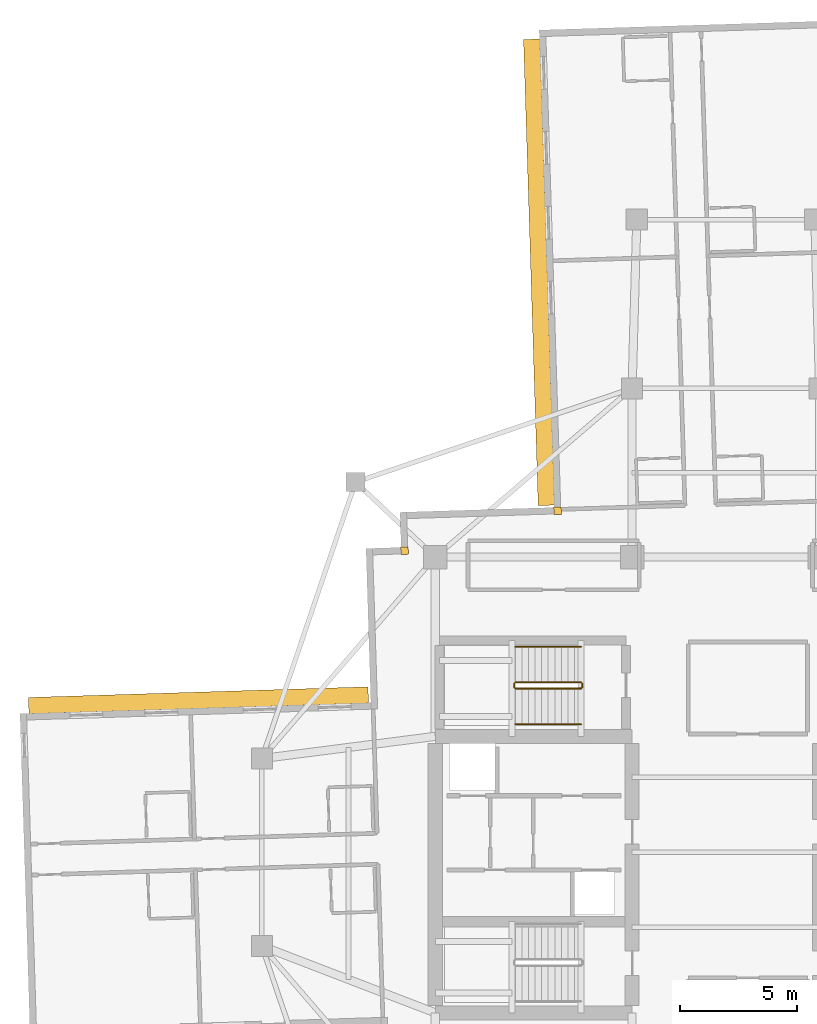
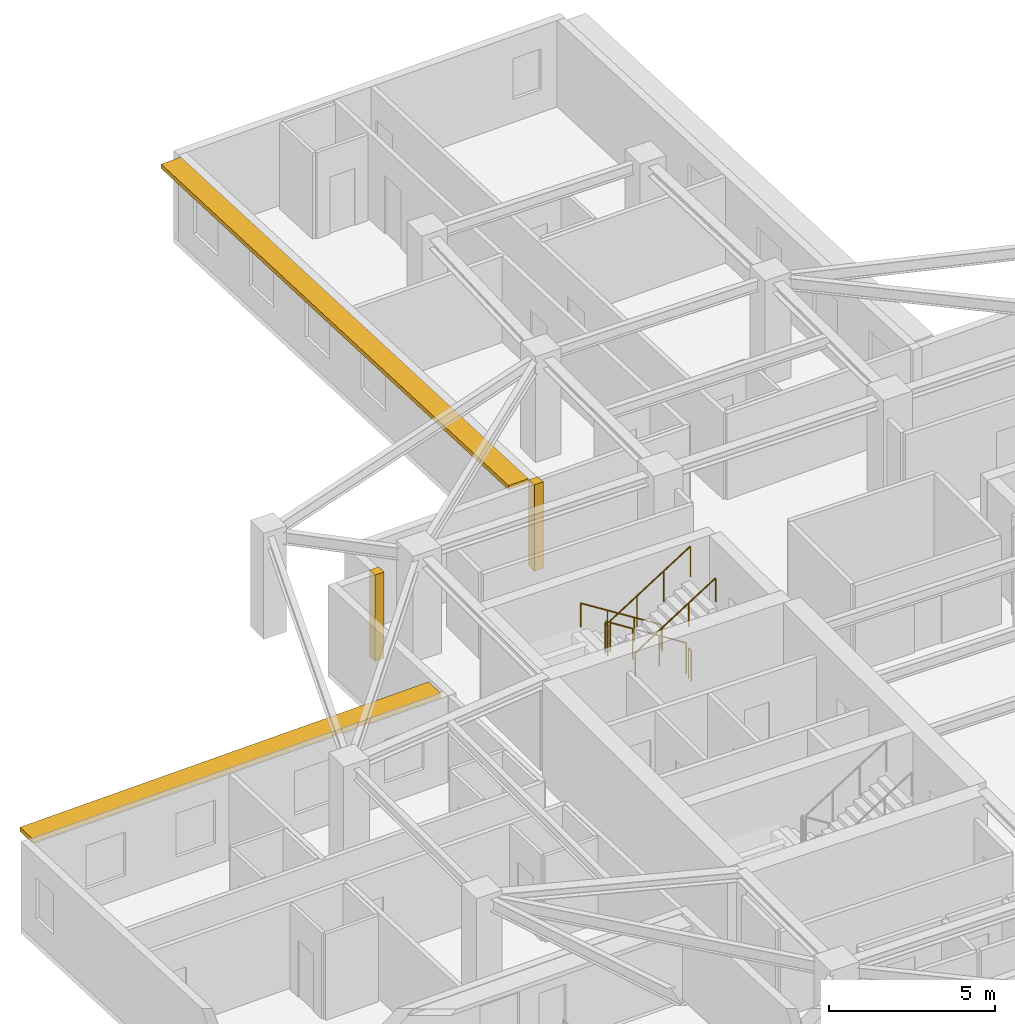
# One storey, part 11 of 12: 6 railings, 2 coverings, 2 shading devices.
"""IFC4 building model written with IfcOpenShell, lengths in metres."""

import ifcopenshell
import ifcopenshell.guid

model = None  # the IFC model being written
_history = None  # IfcOwnerHistory: only IFC2X3 demands one
_inside = {}  # id of a spatial element -> (the spatial element, [elements in it])
_under = {}  # id of a project, library or spatial element -> (it, [spatial elements below it])
_declared = {}  # id of a project -> (the project, [libraries it declares])
_typed = {}  # id of a type object -> (the type object, [elements of that type])
_made_of = {}  # id of a material, layer set ... -> (it, [elements and type objects made of it])


def new_model(schema):
    """Start an empty IFC model of exactly this schema.

    Asked for "IFC4X3", IfcOpenShell would pick the latest addendum, in which some entities
    have other attributes; the version numbers below select the first issue.
    IFC2X3 requires an IfcOwnerHistory on every rooted entity: one is made here for all.
    """
    global model, _history
    if schema == "IFC4X3":
        model = ifcopenshell.file(schema_version=(4, 3, 0, 0))
    else:
        model = ifcopenshell.file(schema=schema)
    _inside.clear()
    _under.clear()
    _declared.clear()
    _typed.clear()
    _made_of.clear()
    _history = None
    if model.schema == "IFC2X3":
        org = make("IfcOrganization", Name="unknown")
        user = make(
            "IfcPersonAndOrganization",
            ThePerson=make("IfcPerson", FamilyName="unknown"),
            TheOrganization=org,
        )
        app = make(
            "IfcApplication",
            ApplicationDeveloper=org,
            Version="unknown",
            ApplicationFullName="unknown",
            ApplicationIdentifier="unknown",
        )
        _history = make(
            "IfcOwnerHistory",
            OwningUser=user,
            OwningApplication=app,
            ChangeAction="ADDED",
            CreationDate=0,
        )
    return model


def make(cls, **values):
    """One entity of the class cls with the attributes given. An attribute that is None is left unset."""
    return model.create_entity(
        cls, **{name: value for name, value in values.items() if value is not None}
    )


def rooted(cls, **values):
    """An entity with a GlobalId (a new one), such as an element, a storey or a relation."""
    return make(cls, GlobalId=ifcopenshell.guid.new(), OwnerHistory=_history, **values)


def si_unit(unit_type, name, prefix=None):
    """IfcSIUnit, for example si_unit("LENGTHUNIT", "METRE", prefix="MILLI")."""
    return make("IfcSIUnit", UnitType=unit_type, Prefix=prefix, Name=name)


def assignment(units):
    """IfcUnitAssignment: the units of a project."""
    return None if units is None else make("IfcUnitAssignment", Units=units)


def point(xyz):
    """IfcCartesianPoint."""
    return None if xyz is None else make("IfcCartesianPoint", Coordinates=xyz)


def direction(xyz):
    """IfcDirection."""
    return None if xyz is None else make("IfcDirection", DirectionRatios=xyz)


def frame(location, z_axis=None, x_axis=None):
    """IfcAxis2Placement3D, a coordinate frame: its origin and axes. An axis left out is left unset."""
    return make(
        "IfcAxis2Placement3D",
        Location=point(location),
        Axis=direction(z_axis),
        RefDirection=direction(x_axis),
    )


def frame_2d(location, x_axis=None):
    """IfcAxis2Placement2D, a coordinate frame in the plane: its origin and x axis."""
    return make(
        "IfcAxis2Placement2D", Location=point(location), RefDirection=direction(x_axis)
    )


def origin():
    """The frame at (0, 0, 0) with its axes left unset."""
    return frame((0.0, 0.0, 0.0))


def origin_2d():
    """The frame at (0, 0) in the plane with its x axis left unset."""
    return frame_2d((0.0, 0.0))


def place(relative_to, where):
    """IfcLocalPlacement: puts the frame where relative to a parent placement (None: the world)."""
    return make(
        "IfcLocalPlacement", PlacementRelTo=relative_to, RelativePlacement=where
    )


def context(
    kind, dimensions, precision=None, world=None, true_north=None, identifier=None
):
    """IfcGeometricRepresentationContext, for example the 3D "Model" context."""
    return make(
        "IfcGeometricRepresentationContext",
        ContextIdentifier=identifier,
        ContextType=kind,
        CoordinateSpaceDimension=dimensions,
        Precision=precision,
        WorldCoordinateSystem=world,
        TrueNorth=true_north,
    )


def subcontext(parent, identifier, kind, view, scale=None):
    """IfcGeometricRepresentationSubContext, for example "Body" below "Model"."""
    return make(
        "IfcGeometricRepresentationSubContext",
        ContextIdentifier=identifier,
        ContextType=kind,
        ParentContext=parent,
        TargetScale=scale,
        TargetView=view,
    )


def project(units=None, contexts=None):
    """IfcProject with its units and contexts."""
    return rooted(
        "IfcProject",
        Name="project",
        RepresentationContexts=contexts,
        UnitsInContext=assignment(units),
    )


def spatial(cls, under=None, at=None, **own):
    """A site, building, storey or space (cls), placed at a placement, below another one or the project."""
    s = rooted(cls, ObjectPlacement=at, **own)
    if under is not None:
        _under.setdefault(under.id(), (under, []))[1].append(s)
    return s


def profile(cls, at=None, kind="AREA", **sizes):
    """A parametric profile (cls). Its sizes go by their IFC names, for example OverallWidth=200.0."""
    return make(cls, ProfileType=kind, Position=at, **sizes)


def rectangle(**sizes):
    """IfcRectangleProfileDef."""
    return profile("IfcRectangleProfileDef", **sizes)


def circle(**sizes):
    """IfcCircleProfileDef."""
    return profile("IfcCircleProfileDef", **sizes)


def extrude(swept, where, along, depth):
    """IfcExtrudedAreaSolid: the profile swept, set in the frame where, extruded along a direction by depth."""
    return make(
        "IfcExtrudedAreaSolid",
        SweptArea=swept,
        Position=where,
        ExtrudedDirection=direction(along),
        Depth=depth,
    )


def shape(context_of_items, identifier, shape_type, items):
    """IfcShapeRepresentation: the items that make up one representation, for example the "Body"."""
    return make(
        "IfcShapeRepresentation",
        ContextOfItems=context_of_items,
        RepresentationIdentifier=identifier,
        RepresentationType=shape_type,
        Items=items,
    )


def material(Name=None, Category=None):
    """IfcMaterial."""
    return make("IfcMaterial", Name=Name, Category=Category)


def layer(
    of_material, thickness, ventilated=None, Name=None, Category=None, Priority=None
):
    """IfcMaterialLayer: one layer of a wall or slab, of a material (None: an air gap)."""
    return make(
        "IfcMaterialLayer",
        Material=of_material,
        LayerThickness=thickness,
        IsVentilated=ventilated,
        Name=Name,
        Category=Category,
        Priority=Priority,
    )


def layer_set(layers, Name=None):
    """IfcMaterialLayerSet."""
    return make("IfcMaterialLayerSet", MaterialLayers=layers, LayerSetName=Name)


def made_of(thing, what):
    """Note that an element or type object is made of a material, layer set ...; save() writes the relation."""
    if what is not None:
        _made_of.setdefault(what.id(), (what, []))[1].append(thing)
    return thing


def type_object(cls, material=None, **own):
    """A type object (cls), such as IfcWallType, which elements share."""
    return made_of(rooted(cls, **own), material)


def element(
    cls,
    number,
    at=None,
    inside=None,
    cuts=None,
    type_object=None,
    material=None,
    context=None,
    identifier="Body",
    shape_type=None,
    held_by="IfcProductDefinitionShape",
    body=None,
    shapes=None,
    **own,
):
    """One element of the class cls, such as IfcWall. Its Tag is "e" and its number.

    at: its placement. inside: the storey or other place that contains it. cuts: it is an
    opening in that element (IfcRelVoidsElement). A single representation is given by context,
    identifier, shape_type and body (its items); several are given by shapes. held_by: the class
    of the entity that holds the representations. save() writes the other relations.
    """
    e = rooted(cls, Tag="e%d" % number, ObjectPlacement=at, **own)
    if body is not None:
        shapes = [shape(context, identifier, shape_type, body)]
    if shapes is not None:
        e.Representation = make(held_by, Representations=shapes)
    if inside is not None:
        _inside.setdefault(inside.id(), (inside, []))[1].append(e)
    if cuts is not None:
        rooted(
            "IfcRelVoidsElement", RelatingBuildingElement=cuts, RelatedOpeningElement=e
        )
    if type_object is not None:
        _typed.setdefault(type_object.id(), (type_object, []))[1].append(e)
    return made_of(e, material)


def aggregate(whole, parts):
    """IfcRelAggregates: a whole, such as a stair, and the parts it consists of."""
    return rooted("IfcRelAggregates", RelatingObject=whole, RelatedObjects=parts)


def save(model, path):
    """Write the relations noted so far, then the file.

    IfcRelAggregates (storeys below a building ...), IfcRelContainedInSpatialStructure (elements
    in a storey), IfcRelDefinesByType, IfcRelAssociatesMaterial and IfcRelDeclares: one each for
    every whole, place, type object, material and project.
    """
    for whole, parts in _under.values():
        aggregate(whole, parts)
    for where, things in _inside.values():
        rooted(
            "IfcRelContainedInSpatialStructure",
            RelatedElements=things,
            RelatingStructure=where,
        )
    for kind, things in _typed.values():
        rooted("IfcRelDefinesByType", RelatedObjects=things, RelatingType=kind)
    for what, things in _made_of.values():
        rooted("IfcRelAssociatesMaterial", RelatedObjects=things, RelatingMaterial=what)
    for by, libraries in _declared.values():
        rooted("IfcRelDeclares", RelatingContext=by, RelatedDefinitions=libraries)
    model.write(path)


model = new_model("IFC4")

# Units and contexts
model_context = context("Model", 3, precision=1e-05, world=origin(), true_north=direction((0.0, 1.0)))
body_context = subcontext(model_context, "Body", "Model", "MODEL_VIEW")
ifc_project = project(units=[si_unit("LENGTHUNIT", "METRE"), si_unit("AREAUNIT", "SQUARE_METRE"), si_unit("VOLUMEUNIT", "CUBIC_METRE"), si_unit("PLANEANGLEUNIT", "RADIAN"), si_unit("MASSUNIT", "GRAM", prefix="KILO")], contexts=[model_context])

# Site, building, storey
site_placement = place(None, origin())
site = spatial("IfcSite", under=ifc_project, at=site_placement, CompositionType="ELEMENT")
building_placement = place(site_placement, origin())
building = spatial("IfcBuilding", under=site, at=building_placement, Name="Qingluan Cross Belvedere", CompositionType="ELEMENT")
storey_placement = place(building_placement, frame((0.0, 0.0, 216.89990234375)))
storey = spatial("IfcBuildingStorey", under=building, at=storey_placement, Name="L54", CompositionType="ELEMENT", Elevation=216.89990234375)

# Coverings
ifc_material_1 = material(Name="Precast concrete C45", Category="concrete")
ifc_layer_1 = layer(ifc_material_1, 0.1201171875, Name="ConcreteSpandrelCladding_120")
ifc_layer_set_1 = layer_set([ifc_layer_1], Name="Precast concrete C45")
covering_type = type_object("IfcCoveringType", Name="ConcreteSpandrelCladding_120", PredefinedType="CLADDING", material=ifc_layer_set_1)
for number, where, z_axis, x_axis, name in (
    (1, (-13.711181640625, 12.875732421875, 0.0), (0.0, 0.0, 1.0), (0.999506560366, 0.031410759078, 0.0), "Corner closure L54-NW1"),
    (2, (-7.181640625, 14.58154296875, 0.0), (0.0, 0.0, 1.0), (0.999506560366, 0.031410759078, 0.0), "Corner closure L54-NW2"),
):
    element("IfcCovering", number, at=place(storey_placement, frame(where, z_axis=z_axis, x_axis=x_axis)), inside=storey, type_object=covering_type, Name=name, PredefinedType="CLADDING", context=body_context, shape_type="SweptSolid", body=[
        extrude(rectangle(XDim=0.320068359375, YDim=0.320068359375, at=origin_2d()), origin(), (0.0, 0.0, 1.0), 3.179931640625),
    ])

# Shading devices
ifc_material_2 = material(Name="Precast concrete C45", Category="concrete")
ifc_layer_2 = layer(ifc_material_2, 0.139892578125, Name="ConcreteSunshadeBand_700")
ifc_layer_set_2 = layer_set([ifc_layer_2], Name="Precast concrete C45")
shading_device_type = type_object("IfcShadingDeviceType", Name="ConcreteSunshadeBand_700", PredefinedType="USERDEFINED", material=ifc_layer_set_2)
shading_device_1_placement = place(storey_placement, frame((-7.971435546875, 24.751708984375, 3.0), z_axis=(0.0, 0.0, 1.0), x_axis=(0.031407934627, -0.999506649124, 0.0)))
element("IfcShadingDevice", 3, at=shading_device_1_placement, inside=storey, type_object=shading_device_type, Name="Concrete SUNSHADE L54-NB", ObjectType="SUNSHADE", PredefinedType="USERDEFINED", context=body_context, shape_type="SweptSolid", body=[
    extrude(rectangle(XDim=19.89990234375, YDim=0.699951171875, at=origin_2d()), origin(), (0.0, 0.0, 1.0), 0.159912109375),
])
shading_device_2_placement = place(storey_placement, frame((-22.5048828125, 6.486328125, 3.0), z_axis=(0.0, 0.0, 1.0), x_axis=(-0.999506645453, -0.031408051437, 0.0)))
element("IfcShadingDevice", 4, at=shading_device_2_placement, inside=storey, type_object=shading_device_type, Name="Concrete SUNSHADE L54-WA", ObjectType="SUNSHADE", PredefinedType="USERDEFINED", context=body_context, shape_type="SweptSolid", body=[
    extrude(rectangle(XDim=14.5, YDim=0.699951171875, at=origin_2d()), origin(), (0.0, 0.0, 1.0), 0.159912109375),
])

# Railings
ifc_material_3 = material(Name="Brushed stainless steel tubular handrail", Category="steel")
railing_type_1 = type_object("IfcRailingType", Name="StairPitchHandrail_900", PredefinedType="HANDRAIL", material=ifc_material_3)
railing_1_placement = place(storey_placement, frame((-6.179931640625, 8.77001953125, 0.177490234375)))
element("IfcRailing", 5, at=railing_1_placement, inside=storey, type_object=railing_type_1, Name="L54 ST3 stair handrail 1", PredefinedType="HANDRAIL", context=body_context, shape_type="SweptSolid", body=[
    extrude(circle(Radius=0.02392578125, at=origin_2d()), frame((0.0, 0.0, 0.8759765625), z_axis=(-0.844908973607, 0.0, 0.534910110503), x_axis=(0.0, -1.0, 0.0)), (0.0, 0.0, 1.0), 3.31396484375),
    extrude(circle(Radius=0.02099609375, at=origin_2d()), origin(), (0.0, 0.0, 1.0), 0.851806640625),
    extrude(circle(Radius=0.02099609375, at=origin_2d()), frame((-0.933349609375, 0.0, 0.5908203125)), (0.0, 0.0, 1.0), 0.851806640625),
    extrude(circle(Radius=0.02099609375, at=origin_2d()), frame((-1.86669921875, 0.0, 1.181884765625)), (0.0, 0.0, 1.0), 0.851806640625),
    extrude(circle(Radius=0.02099609375, at=origin_2d()), frame((-2.800048828125, 0.0, 1.772705078125)), (0.0, 0.0, 1.0), 0.851806640625),
])
railing_2_placement = place(storey_placement, frame((-8.97998046875, 5.469970703125, 2.12744140625)))
element("IfcRailing", 6, at=railing_2_placement, inside=storey, type_object=railing_type_1, Name="L54 ST3 stair handrail 2", PredefinedType="HANDRAIL", context=body_context, shape_type="SweptSolid", body=[
    extrude(circle(Radius=0.02392578125, at=origin_2d()), frame((0.0, 0.0, 0.8759765625), z_axis=(0.844908973607, 0.0, 0.534910110503), x_axis=(0.0, 1.0, 0.0)), (0.0, 0.0, 1.0), 3.31396484375),
    extrude(circle(Radius=0.02099609375, at=origin_2d()), origin(), (0.0, 0.0, 1.0), 0.851806640625),
    extrude(circle(Radius=0.02099609375, at=origin_2d()), frame((0.933349609375, 0.0, 0.5908203125)), (0.0, 0.0, 1.0), 0.851806640625),
    extrude(circle(Radius=0.02099609375, at=origin_2d()), frame((1.86669921875, 0.0, 1.181884765625)), (0.0, 0.0, 1.0), 0.851806640625),
    extrude(circle(Radius=0.02099609375, at=origin_2d()), frame((2.800048828125, 0.0, 1.772705078125)), (0.0, 0.0, 1.0), 0.851806640625),
])
ifc_material_4 = material(Name="Painted steel stair well guard", Category="steel")
railing_type_2 = type_object("IfcRailingType", Name="StairWellGuard_1150", PredefinedType="BALUSTRADE", material=ifc_material_4)
railing_3_placement = place(storey_placement, frame((-6.179931640625, 7.25, 0.177490234375)))
element("IfcRailing", 7, at=railing_3_placement, inside=storey, type_object=railing_type_2, Name="L54 ST3 stair guard 1", PredefinedType="BALUSTRADE", context=body_context, shape_type="SweptSolid", body=[
    extrude(circle(Radius=0.02392578125, at=origin_2d()), frame((0.0, 0.0, 1.1259765625), z_axis=(-0.844908973607, 0.0, 0.534910110503), x_axis=(0.0, -1.0, 0.0)), (0.0, 0.0, 1.0), 3.31396484375),
    extrude(circle(Radius=0.02099609375, at=origin_2d()), origin(), (0.0, 0.0, 1.0), 1.101806640625),
    extrude(circle(Radius=0.02099609375, at=origin_2d()), frame((-0.933349609375, 0.0, 0.5908203125)), (0.0, 0.0, 1.0), 1.101806640625),
    extrude(circle(Radius=0.02099609375, at=origin_2d()), frame((-1.86669921875, 0.0, 1.181884765625)), (0.0, 0.0, 1.0), 1.101806640625),
    extrude(circle(Radius=0.02099609375, at=origin_2d()), frame((-2.800048828125, 0.0, 1.772705078125)), (0.0, 0.0, 1.0), 1.101806640625),
])
railing_4_placement = place(storey_placement, frame((-9.030029296875, 7.199951171875, 1.9501953125)))
element("IfcRailing", 8, at=railing_4_placement, inside=storey, type_object=railing_type_2, Name="L54 ST3 stair guard 2", PredefinedType="BALUSTRADE", context=body_context, shape_type="SweptSolid", body=[
    extrude(circle(Radius=0.02392578125, at=origin_2d()), frame((0.0, 0.0, 1.1259765625), z_axis=(0.0, -1.0, 0.0), x_axis=(1.0, 0.0, 0.0)), (0.0, 0.0, 1.0), 0.159912109375),
    extrude(circle(Radius=0.02099609375, at=origin_2d()), origin(), (0.0, 0.0, 1.0), 1.101806640625),
    extrude(circle(Radius=0.02099609375, at=origin_2d()), frame((0.0, -0.159912109375, 0.0)), (0.0, 0.0, 1.0), 1.101806640625),
])
railing_5_placement = place(storey_placement, frame((-8.97998046875, 6.989990234375, 2.12744140625)))
element("IfcRailing", 9, at=railing_5_placement, inside=storey, type_object=railing_type_2, Name="L54 ST3 stair guard 3", PredefinedType="BALUSTRADE", context=body_context, shape_type="SweptSolid", body=[
    extrude(circle(Radius=0.02392578125, at=origin_2d()), frame((0.0, 0.0, 1.1259765625), z_axis=(0.844908973607, 0.0, 0.534910110503), x_axis=(0.0, 1.0, 0.0)), (0.0, 0.0, 1.0), 3.31396484375),
    extrude(circle(Radius=0.02099609375, at=origin_2d()), origin(), (0.0, 0.0, 1.0), 1.101806640625),
    extrude(circle(Radius=0.02099609375, at=origin_2d()), frame((0.933349609375, 0.0, 0.5908203125)), (0.0, 0.0, 1.0), 1.101806640625),
    extrude(circle(Radius=0.02099609375, at=origin_2d()), frame((1.86669921875, 0.0, 1.181884765625)), (0.0, 0.0, 1.0), 1.101806640625),
    extrude(circle(Radius=0.02099609375, at=origin_2d()), frame((2.800048828125, 0.0, 1.772705078125)), (0.0, 0.0, 1.0), 1.101806640625),
])
railing_6_placement = place(storey_placement, frame((-6.1298828125, 7.199951171875, 0.0)))
element("IfcRailing", 10, at=railing_6_placement, inside=storey, type_object=railing_type_2, Name="L54 ST3 stair guard 4", PredefinedType="BALUSTRADE", context=body_context, shape_type="SweptSolid", body=[
    extrude(circle(Radius=0.02392578125, at=origin_2d()), frame((0.0, 0.0, 1.1259765625), z_axis=(0.0, -1.0, 0.0), x_axis=(1.0, 0.0, 0.0)), (0.0, 0.0, 1.0), 0.159912109375),
    extrude(circle(Radius=0.02099609375, at=origin_2d()), origin(), (0.0, 0.0, 1.0), 1.101806640625),
    extrude(circle(Radius=0.02099609375, at=origin_2d()), frame((0.0, -0.159912109375, 0.0)), (0.0, 0.0, 1.0), 1.101806640625),
])

save(model, "model.ifc")
